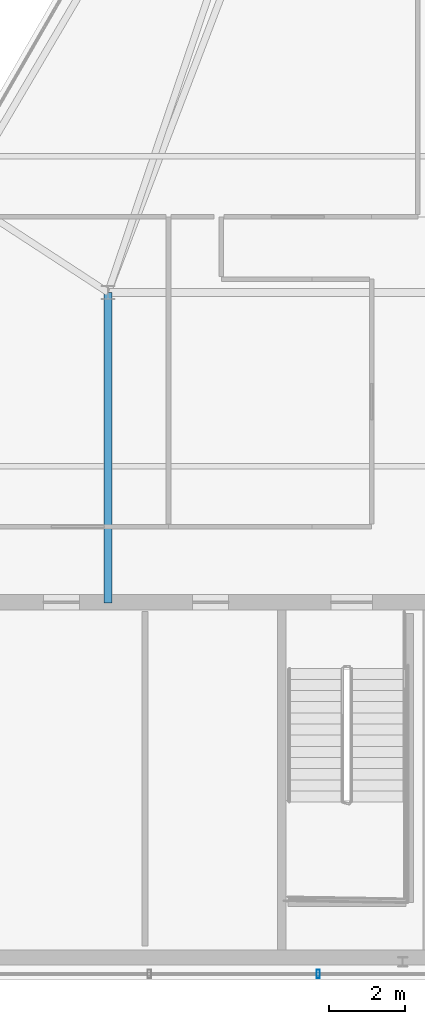
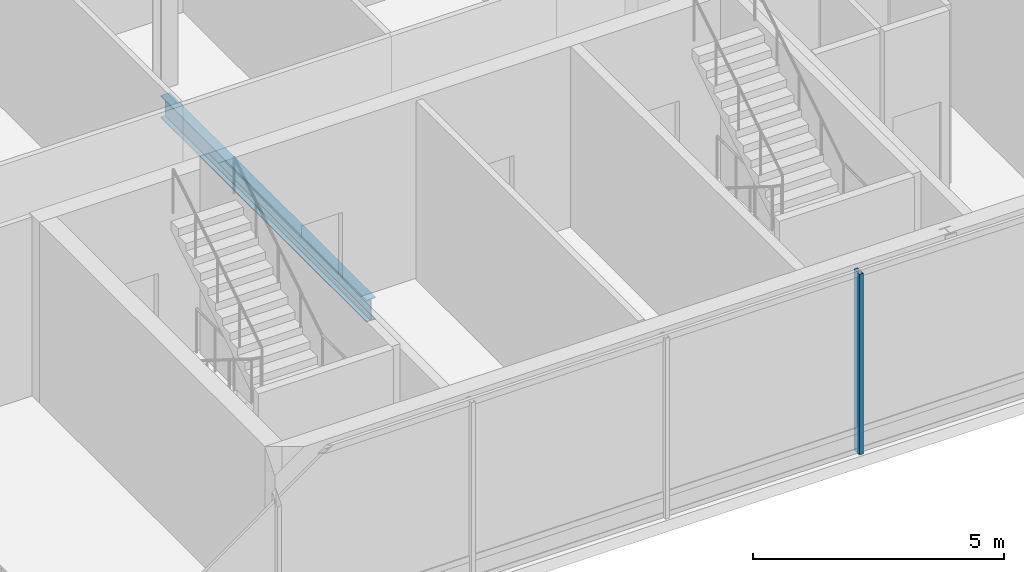
# One storey, part 5 of 25: 1 beam, 1 member, 1 element without a shape of its own.
"""IFC4 building model written with IfcOpenShell, lengths in metres."""

from ifc_helpers import new_model, si_unit, direction, frame, origin, origin_2d, place, context, subcontext, project, spatial, hollow_rectangle, i_section, extrude, material, layer, layer_set, material_profile, profile_set, type_object, element, aggregate, save


model = new_model("IFC4")

# Units and contexts
model_context = context("Model", 3, precision=1e-05, world=origin(), true_north=direction((0.0, 1.0)))
body_context = subcontext(model_context, "Body", "Model", "MODEL_VIEW")
ifc_project = project(units=[si_unit("LENGTHUNIT", "METRE"), si_unit("AREAUNIT", "SQUARE_METRE"), si_unit("VOLUMEUNIT", "CUBIC_METRE"), si_unit("PLANEANGLEUNIT", "RADIAN"), si_unit("MASSUNIT", "GRAM", prefix="KILO")], contexts=[model_context])

# Site, building, storey
site_placement = place(None, origin())
site = spatial("IfcSite", under=ifc_project, at=site_placement, CompositionType="ELEMENT")
building_placement = place(site_placement, origin())
building = spatial("IfcBuilding", under=site, at=building_placement, Name="Ndaravel Arena Tower", CompositionType="ELEMENT")
storey_placement = place(building_placement, frame((0.0, 0.0, 303.300048828125)))
storey = spatial("IfcBuildingStorey", under=building, at=storey_placement, Name="L74", CompositionType="ELEMENT", Elevation=303.300048828125)

# Beam
ifc_material_1 = material(Name="Steel S355", Category="steel")
ifc_material_profile_1 = material_profile(ifc_material_1, i_section(OverallWidth=0.210693359375, OverallDepth=0.53955078125, WebThickness=0.01171875, FlangeThickness=0.018798828125, FilletRadius=0.0126953125, at=origin_2d()), Name="UB 533x210x109")
ifc_profile_set_1 = profile_set([ifc_material_profile_1], Name="Steel S355")
beam_type = type_object("IfcBeamType", Name="BM-GIRD-UB533", PredefinedType="BEAM", material=ifc_profile_set_1)
beam_placement = place(storey_placement, frame((34.199951171875, 14.97998046875, -0.5498046875), z_axis=(0.0, 1.0, 0.0), x_axis=(-1.0, 0.0, 0.0)))
element("IfcBeam", 1, at=beam_placement, inside=storey, type_object=beam_type, Name="L74 Spine Link Girder SLG-01", PredefinedType="BEAM", context=body_context, shape_type="SweptSolid", body=[
    extrude(i_section(OverallWidth=0.210693359375, OverallDepth=0.53955078125, WebThickness=0.01171875, FlangeThickness=0.018798828125, FilletRadius=0.0126953125, at=origin_2d()), origin(), (0.0, 0.0, 1.0), 8.219970703125),
])

# Curtain wall, member
ifc_material_2 = material(Name="Aluminium", Category="aluminium")
ifc_layer = layer(ifc_material_2, 0.179931640625)
ifc_layer_set = layer_set([ifc_layer], Name="Aluminium")
curtain_wall_type = type_object("IfcCurtainWallType", Name="CW-SYS-04", PredefinedType="NOTDEFINED", material=ifc_layer_set)
curtain_wall_placement = place(storey_placement, origin())
curtain_wall = element("IfcCurtainWall", 2, at=curtain_wall_placement, inside=storey, type_object=curtain_wall_type, Name="L74 Faceted Crystal Curtain Wall CW-L74-E01", PredefinedType="NOTDEFINED")
ifc_material_3 = material(Name="Aluminium", Category="aluminium")
ifc_material_profile_2 = material_profile(ifc_material_3, hollow_rectangle(XDim=0.090087890625, YDim=0.219970703125, WallThickness=0.0048828125, at=origin_2d()), Name="CW MULLION 90x220x5")
ifc_profile_set_2 = profile_set([ifc_material_profile_2], Name="Aluminium")
member_type = type_object("IfcMemberType", Name="MEM-CW-MUL220", PredefinedType="MULLION", material=ifc_profile_set_2)
member_placement = place(storey_placement, frame((39.764892578125, 5.159912109375, 0.0), z_axis=(0.0, 0.0, 1.0), x_axis=(1.0, 0.0, 0.0)))
member = element("IfcMember", 3, at=member_placement, type_object=member_type, Name="CW-L74-E01 Mullion 04", PredefinedType="MULLION", context=body_context, shape_type="SweptSolid", body=[
    extrude(hollow_rectangle(XDim=0.090087890625, YDim=0.219970703125, WallThickness=0.0048828125, at=origin_2d()), origin(), (0.0, 0.0, 1.0), 4.39990234375),
])
aggregate(curtain_wall, [member])

save(model, "model.ifc")
